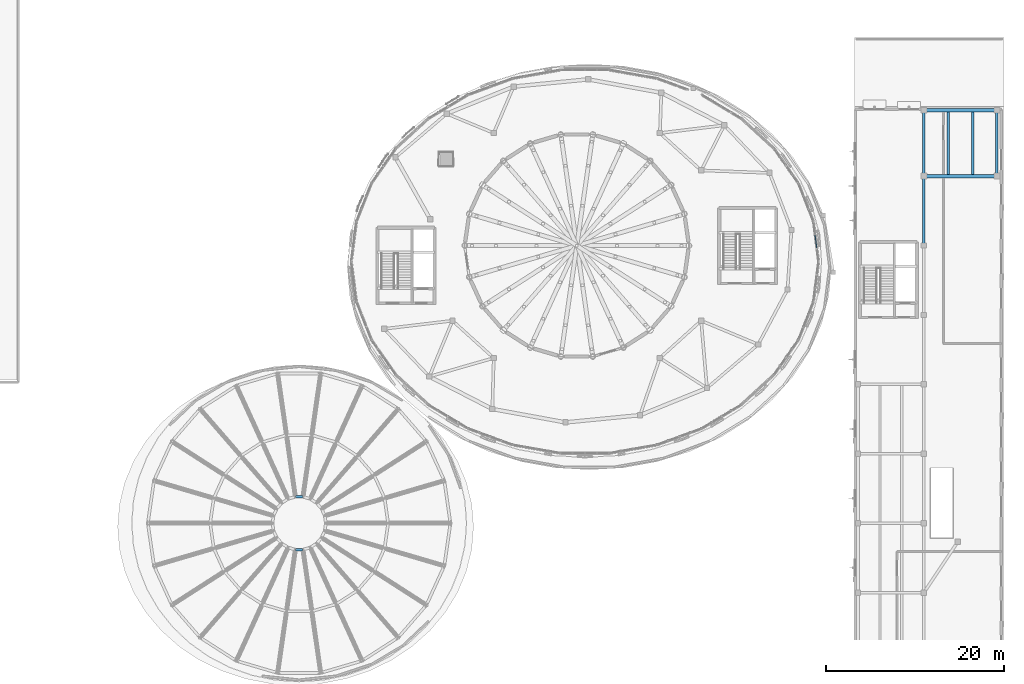
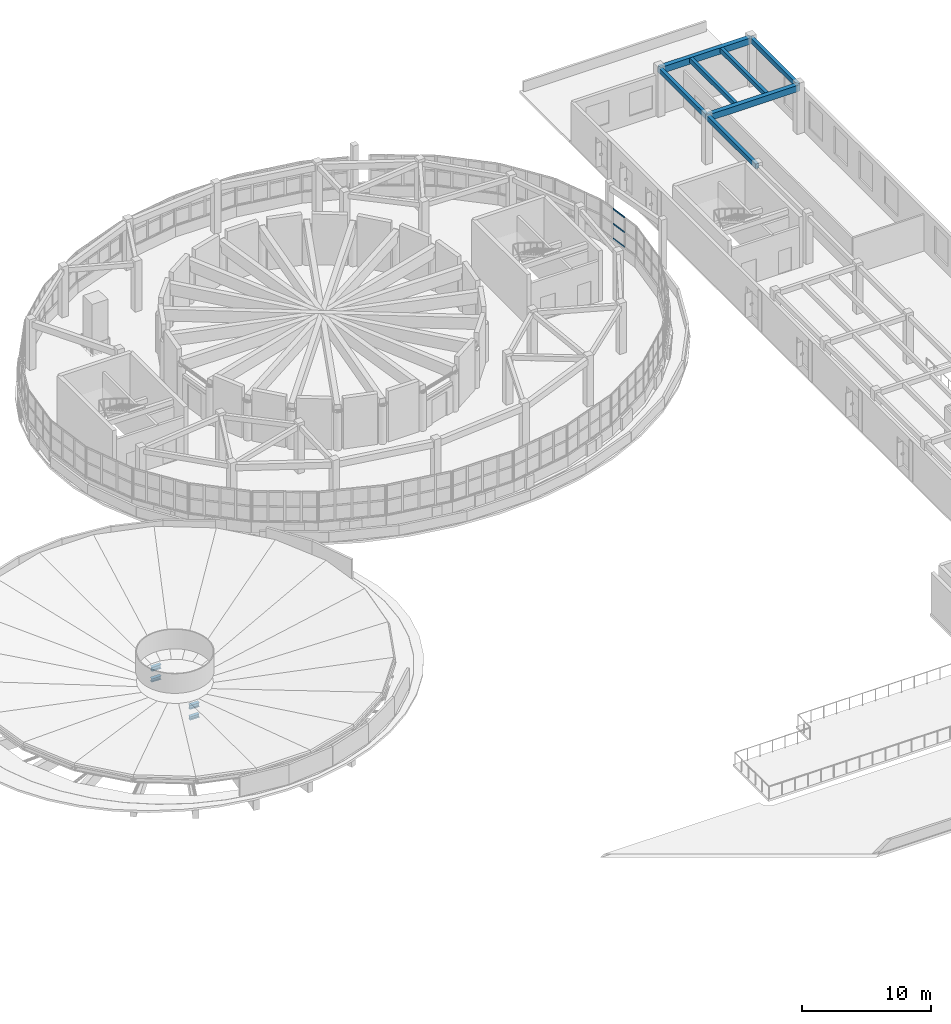
# One storey, part 36 of 69: 11 beams, 3 members, 1 element without a shape of its own.
"""IFC4 building model written with IfcOpenShell, lengths in metres."""

from ifc_helpers import new_model, si_unit, direction, frame, origin, origin_2d, place, context, subcontext, project, spatial, rectangle, hollow_rectangle, i_section, extrude, material, layer, layer_set, material_profile, profile_set, type_object, element, aggregate, save


model = new_model("IFC4")

# Units and contexts
model_context = context("Model", 3, precision=1e-05, world=origin(), true_north=direction((0.0, 1.0)))
body_context = subcontext(model_context, "Body", "Model", "MODEL_VIEW")
ifc_project = project(units=[si_unit("LENGTHUNIT", "METRE"), si_unit("AREAUNIT", "SQUARE_METRE"), si_unit("VOLUMEUNIT", "CUBIC_METRE"), si_unit("PLANEANGLEUNIT", "RADIAN"), si_unit("MASSUNIT", "GRAM", prefix="KILO")], contexts=[model_context])

# Site, building, storey
site_placement = place(None, origin())
site = spatial("IfcSite", under=ifc_project, at=site_placement, CompositionType="ELEMENT")
building_placement = place(site_placement, origin())
building = spatial("IfcBuilding", under=site, at=building_placement, Name="Pelvatis Terrace Science Centre", CompositionType="ELEMENT")
storey_placement = place(building_placement, frame((0.0, 0.0, 15.0)))
storey = spatial("IfcBuildingStorey", under=building, at=storey_placement, Name="L03", CompositionType="ELEMENT", Elevation=15.0)

# Beams
ifc_material_1 = material(Name="Concrete C35/45", Category="concrete")
ifc_material_profile_1 = material_profile(ifc_material_1, rectangle(XDim=0.300048828125, YDim=0.449951171875, at=origin_2d()), Name="RC-BM 300x450")
ifc_profile_set_1 = profile_set([ifc_material_profile_1], Name="Concrete C35/45")
beam_type_1 = type_object("IfcBeamType", Name="BM-RC-300x450", PredefinedType="BEAM", material=ifc_profile_set_1)
beam_placement = place(storey_placement, frame((148.199951171875, 85.800048828125, 4.324951171875), z_axis=(0.0, 1.0, 0.0), x_axis=(-1.0, 0.0, 0.0)))
element("IfcBeam", 1, at=beam_placement, inside=storey, type_object=beam_type_1, Name="Beam BM-L03-3069", PredefinedType="BEAM", context=body_context, shape_type="SweptSolid", body=[
    extrude(rectangle(XDim=0.300048828125, YDim=0.449951171875, at=origin_2d()), origin(), (0.0, 0.0, 1.0), 7.800048828125),
])
for number, where, z_axis, x_axis, name in (
    (2, (148.199951171875, 93.60009765625, 4.324951171875), (0.0, 1.0, 0.0), (-1.0, 0.0, 0.0), "Beam BM-L03-3070"),
    (3, (156.39990234375, 93.60009765625, 4.324951171875), (0.0, 1.0, 0.0), (-1.0, 0.0, 0.0), "Beam BM-L03-3073"),
):
    element("IfcBeam", number, at=place(storey_placement, frame(where, z_axis=z_axis, x_axis=x_axis)), inside=storey, type_object=beam_type_1, Name=name, PredefinedType="BEAM", context=body_context, shape_type="SweptSolid", body=[
        extrude(rectangle(XDim=0.300048828125, YDim=0.449951171875, at=origin_2d()), origin(), (0.0, 0.0, 1.0), 7.39990234375),
    ])
ifc_material_2 = material(Name="Concrete C35/45", Category="concrete")
ifc_material_profile_2 = material_profile(ifc_material_2, rectangle(XDim=0.39990234375, YDim=0.60009765625, at=origin_2d()), Name="RC-BM 400x600")
ifc_profile_set_2 = profile_set([ifc_material_profile_2], Name="Concrete C35/45")
beam_type_2 = type_object("IfcBeamType", Name="BM-RC-400x600", PredefinedType="BEAM", material=ifc_profile_set_2)
for number, where, z_axis, x_axis, name in (
    (4, (148.199951171875, 93.60009765625, 4.25), (1.0, 0.0, 0.0), (0.0, 1.0, 0.0), "Beam BM-L03-3071"),
    (5, (148.199951171875, 101.0, 4.25), (1.0, 0.0, 0.0), (0.0, 1.0, 0.0), "Beam BM-L03-3072"),
):
    element("IfcBeam", number, at=place(storey_placement, frame(where, z_axis=z_axis, x_axis=x_axis)), inside=storey, type_object=beam_type_2, Name=name, PredefinedType="BEAM", context=body_context, shape_type="SweptSolid", body=[
        extrude(rectangle(XDim=0.39990234375, YDim=0.60009765625, at=origin_2d()), origin(), (0.0, 0.0, 1.0), 8.199951171875),
    ])
ifc_material_3 = material(Name="Structural steel S355", Category="steel")
ifc_material_profile_3 = material_profile(ifc_material_3, i_section(OverallWidth=0.300048828125, OverallDepth=0.330078125, WebThickness=0.009521484375, FlangeThickness=0.0166015625, FilletRadius=0.027099609375, at=origin_2d()), Name="HEA 340")
ifc_profile_set_3 = profile_set([ifc_material_profile_3], Name="Structural steel S355")
beam_type_3 = type_object("IfcBeamType", Name="BM-STL-HEA340", PredefinedType="BEAM", material=ifc_profile_set_3)
for number, where, z_axis, x_axis, name in (
    (6, (78.427001953125, 57.569580078125, -2.5), (-1.0, 0.0, 0.0), (0.0, -1.0, 0.0), "Bowl roof circumferential bot member 06"),
    (7, (77.572998046875, 51.630615234375, -2.5), (1.0, 0.0, 0.0), (0.0, 1.0, 0.0), "Bowl roof circumferential bot member 17"),
):
    element("IfcBeam", number, at=place(storey_placement, frame(where, z_axis=z_axis, x_axis=x_axis)), inside=storey, type_object=beam_type_3, Name=name, PredefinedType="BEAM", context=body_context, shape_type="SweptSolid", body=[
        extrude(i_section(OverallWidth=0.300048828125, OverallDepth=0.330078125, WebThickness=0.009521484375, FlangeThickness=0.0166015625, FilletRadius=0.027099609375, at=origin_2d()), origin(), (0.0, 0.0, 1.0), 0.85400390625),
    ])
ifc_material_4 = material(Name="Structural steel S355", Category="steel")
ifc_material_profile_4 = material_profile(ifc_material_4, i_section(OverallWidth=0.300048828125, OverallDepth=0.389892578125, WebThickness=0.010986328125, FlangeThickness=0.01904296875, FilletRadius=0.027099609375, at=origin_2d()), Name="HEA 400")
ifc_profile_set_4 = profile_set([ifc_material_profile_4], Name="Structural steel S355")
beam_type_4 = type_object("IfcBeamType", Name="BM-STL-HEA400", PredefinedType="BEAM", material=ifc_profile_set_4)
for number, where, z_axis, x_axis, name in (
    (8, (78.427001953125, 57.569580078125, -1.449951171875), (-1.0, 0.0, 0.0), (0.0, -1.0, 0.0), "Bowl roof circumferential top member 06"),
    (9, (77.572998046875, 51.630615234375, -1.449951171875), (1.0, 0.0, 0.0), (0.0, 1.0, 0.0), "Bowl roof circumferential top member 17"),
):
    element("IfcBeam", number, at=place(storey_placement, frame(where, z_axis=z_axis, x_axis=x_axis)), inside=storey, type_object=beam_type_4, Name=name, PredefinedType="BEAM", context=body_context, shape_type="SweptSolid", body=[
        extrude(i_section(OverallWidth=0.300048828125, OverallDepth=0.389892578125, WebThickness=0.010986328125, FlangeThickness=0.01904296875, FilletRadius=0.027099609375, at=origin_2d()), origin(), (0.0, 0.0, 1.0), 0.85400390625),
    ])

# Curtain wall, members
ifc_material_5 = material(Name="Bronze-anodised aluminium and laminated glass", Category="aluminium")
ifc_layer = layer(ifc_material_5, 0.179931640625)
ifc_layer_set = layer_set([ifc_layer], Name="Bronze-anodised aluminium and laminated glass")
curtain_wall_type = type_object("IfcCurtainWallType", Name="CW-RIBBON-A", PredefinedType="NOTDEFINED", material=ifc_layer_set)
curtain_wall_placement = place(storey_placement, origin())
curtain_wall = element("IfcCurtainWall", 10, at=curtain_wall_placement, inside=storey, type_object=curtain_wall_type, Name="Ribbon curtain wall CW-183 (L03)", PredefinedType="NOTDEFINED")
ifc_material_6 = material(Name="Bronze-anodised aluminium 6063-T6", Category="aluminium")
ifc_material_profile_5 = material_profile(ifc_material_6, hollow_rectangle(XDim=0.06005859375, YDim=0.139892578125, WallThickness=0.00390625, at=origin_2d()), Name="ALU-TRN 60x140")
ifc_profile_set_5 = profile_set([ifc_material_profile_5], Name="Bronze-anodised aluminium 6063-T6")
member_type = type_object("IfcMemberType", Name="CWT-60x140", PredefinedType="USERDEFINED", material=ifc_profile_set_5)
member_1_placement = place(storey_placement, frame((136.155029296875, 85.5302734375, 1.050048828125), z_axis=(-0.126392609759, 0.991980296275, 0.0), x_axis=(-0.991980296275, -0.126392609759, 0.0)))
member_1 = element("IfcMember", 11, at=member_1_placement, type_object=member_type, Name="CW-183 transom 2.1", ObjectType="TRANSOM", PredefinedType="USERDEFINED", context=body_context, shape_type="SweptSolid", body=[
    extrude(hollow_rectangle(XDim=0.06005859375, YDim=0.139892578125, WallThickness=0.00390625, at=origin_2d()), origin(), (0.0, 0.0, 1.0), 1.45263671875),
])
member_2_placement = place(storey_placement, frame((136.155029296875, 85.5302734375, 2.445068359375), z_axis=(-0.126392609759, 0.991980296275, 0.0), x_axis=(-0.991980296275, -0.126392609759, 0.0)))
member_2 = element("IfcMember", 12, at=member_2_placement, type_object=member_type, Name="CW-183 transom 2.2", ObjectType="TRANSOM", PredefinedType="USERDEFINED", context=body_context, shape_type="SweptSolid", body=[
    extrude(hollow_rectangle(XDim=0.06005859375, YDim=0.139892578125, WallThickness=0.00390625, at=origin_2d()), origin(), (0.0, 0.0, 1.0), 1.45263671875),
])
member_3_placement = place(storey_placement, frame((136.155029296875, 85.5302734375, 3.840087890625), z_axis=(-0.126392609759, 0.991980296275, 0.0), x_axis=(-0.991980296275, -0.126392609759, 0.0)))
member_3 = element("IfcMember", 13, at=member_3_placement, type_object=member_type, Name="CW-183 transom 2.3", ObjectType="TRANSOM", PredefinedType="USERDEFINED", context=body_context, shape_type="SweptSolid", body=[
    extrude(hollow_rectangle(XDim=0.06005859375, YDim=0.139892578125, WallThickness=0.00390625, at=origin_2d()), origin(), (0.0, 0.0, 1.0), 1.45263671875),
])
aggregate(curtain_wall, [member_1, member_2, member_3])

# Beams
ifc_material_7 = material(Name="Concrete C35/45", Category="concrete")
ifc_material_profile_6 = material_profile(ifc_material_7, rectangle(XDim=0.280029296875, YDim=0.43994140625, at=origin_2d()), Name="RC-JST 280x440")
ifc_profile_set_6 = profile_set([ifc_material_profile_6], Name="Concrete C35/45")
beam_type_5 = type_object("IfcBeamType", Name="JST-RC-280x440", PredefinedType="JOIST", material=ifc_profile_set_6)
for number, where, z_axis, x_axis, name in (
    (14, (150.933349609375, 93.800048828125, 4.330078125), (0.0, 1.0, 0.0), (-1.0, 0.0, 0.0), "Secondary floor joist J-L03-2201"),
    (15, (153.666748046875, 93.800048828125, 4.330078125), (0.0, 1.0, 0.0), (-1.0, 0.0, 0.0), "Secondary floor joist J-L03-2202"),
):
    element("IfcBeam", number, at=place(storey_placement, frame(where, z_axis=z_axis, x_axis=x_axis)), inside=storey, type_object=beam_type_5, Name=name, PredefinedType="JOIST", context=body_context, shape_type="SweptSolid", body=[
        extrude(rectangle(XDim=0.280029296875, YDim=0.43994140625, at=origin_2d()), origin(), (0.0, 0.0, 1.0), 7.0),
    ])

save(model, "model.ifc")
